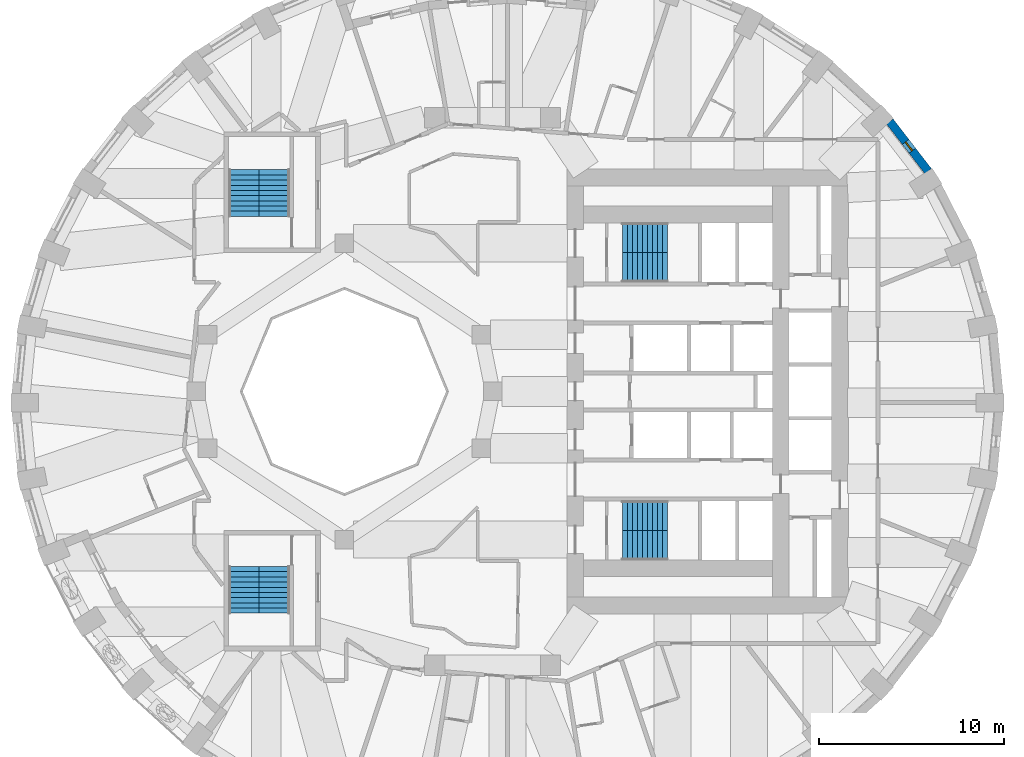
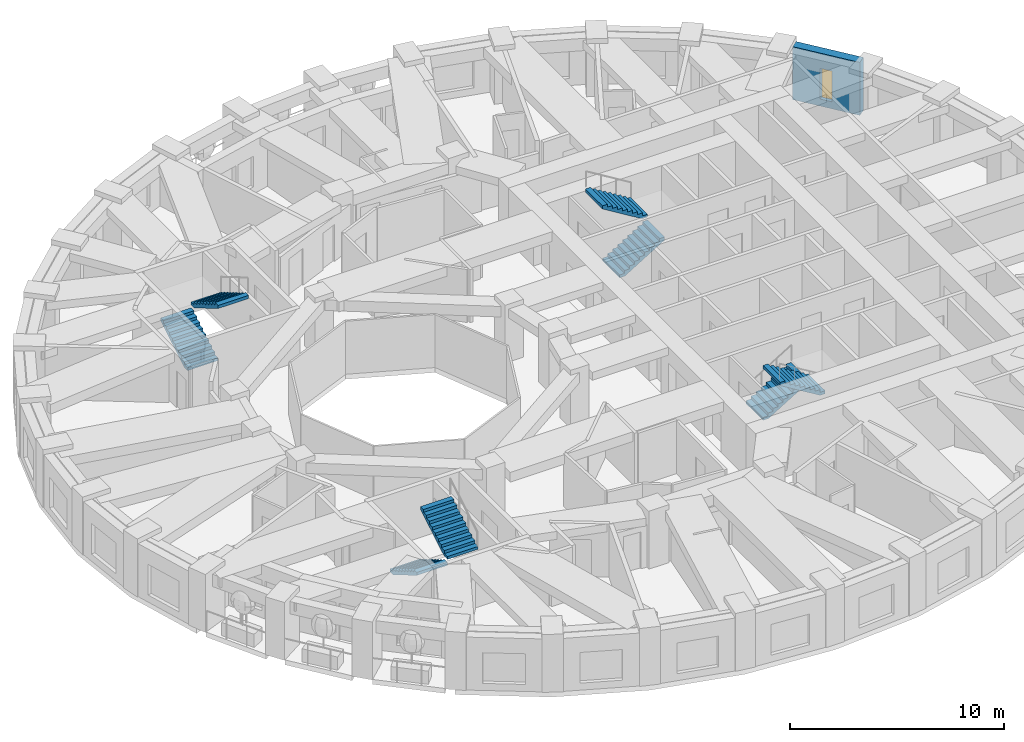
# One storey, part 9 of 12: 8 stair flights, 1 wall, 1 window, 1 opening, 4 elements without a shape of their own.
"""IFC4 building model written with IfcOpenShell, lengths in metres."""

from ifc_helpers import new_model, si_unit, direction, frame, frame_2d, origin, place, context, subcontext, project, spatial, polyline, rectangle, outline, extrude, material, layer, layer_set, type_object, element, fill, aggregate, save


model = new_model("IFC4")

# Units and contexts
model_context = context("Model", 3, precision=1e-05, world=origin(), true_north=direction((0.0, 1.0)))
body_context = subcontext(model_context, "Body", "Model", "MODEL_VIEW")
ifc_project = project(units=[si_unit("LENGTHUNIT", "METRE"), si_unit("AREAUNIT", "SQUARE_METRE"), si_unit("VOLUMEUNIT", "CUBIC_METRE"), si_unit("PLANEANGLEUNIT", "RADIAN"), si_unit("MASSUNIT", "GRAM", prefix="KILO")], contexts=[model_context])

# Site, building, storey
site_placement = place(None, origin())
site = spatial("IfcSite", under=ifc_project, at=site_placement, CompositionType="ELEMENT")
building_placement = place(site_placement, origin())
building = spatial("IfcBuilding", under=site, at=building_placement, Name="Taillehof Tower", CompositionType="ELEMENT")
storey_placement = place(building_placement, frame((0.0, 0.0, 128.5)))
storey = spatial("IfcBuildingStorey", under=building, at=storey_placement, Name="L36", CompositionType="ELEMENT", Elevation=128.5)

# Wall, opening, window
ifc_material_1 = material(Name="Brick masonry", Category="masonry")
ifc_layer = layer(ifc_material_1, 0.449951171875)
ifc_layer_set = layer_set([ifc_layer], Name="Brick infill wall 450")
wall_type = type_object("IfcWallType", Name="Brick infill wall 450", PredefinedType="SOLIDWALL", material=ifc_layer_set)
wall_placement = place(storey_placement, frame((23.508056640625, 11.887451171875, 0.0), z_axis=(0.0, 0.0, 1.0), x_axis=(-0.610693945156, 0.791866721961, 0.0)))
wall = element("IfcWall", 1, at=wall_placement, inside=storey, type_object=wall_type, Name="Brick wall L36 bay 4", PredefinedType="SOLIDWALL", context=body_context, shape_type="SweptSolid", body=[
    extrude(rectangle(XDim=3.39453125, YDim=0.449951171875, at=frame_2d((1.697265625, 0.0))), origin(), (0.0, 0.0, 1.0), 3.02001953125),
])
opening_placement = place(wall_placement, frame((1.397216796875, 0.0, 0.39990234375)))
opening = element("IfcOpeningElement", 2, at=opening_placement, cuts=wall, Name="Opening W6", PredefinedType="OPENING", context=body_context, shape_type="SweptSolid", body=[
    extrude(rectangle(XDim=0.60009765625, YDim=1.75, at=frame_2d((0.300048828125, 0.875))), frame((0.0, 0.23486328125, 0.0), z_axis=(0.0, -1.0, 0.0), x_axis=(1.0, 0.0, 0.0)), (0.0, 0.0, 1.0), 0.469970703125),
])
ifc_material_2 = material(Name="Aluminium window frame with clear double glazing", Category="aluminium")
window_type = type_object("IfcWindowType", Name="Slot window 600x1750", PartitioningType="SINGLE_PANEL", PredefinedType="WINDOW", material=ifc_material_2)
window_placement = place(opening_placement, origin())
window = element("IfcWindow", 3, at=window_placement, inside=storey, type_object=window_type, Name="W6", OverallHeight=1.75, OverallWidth=0.60009765625, PartitioningType="SINGLE_PANEL", PredefinedType="WINDOW", context=body_context, shape_type="SweptSolid", body=[
    extrude(rectangle(XDim=0.60009765625, YDim=1.75, at=frame_2d((0.300048828125, 0.875))), frame((0.0, 0.034912109375, 0.0), z_axis=(0.0, -1.0, 0.0), x_axis=(1.0, 0.0, 0.0)), (0.0, 0.0, 1.0), 0.06005859375),
])
fill(opening, window)

# Stair, stair flights
ifc_material_3 = material(Name="Concrete C40/50", Category="concrete")
stair_type = type_object("IfcStairType", Name="Exit stair half-turn", PredefinedType="HALF_TURN_STAIR", material=ifc_material_3)
stair_1_placement = place(storey_placement, origin())
stair_1 = element("IfcStair", 4, at=stair_1_placement, inside=storey, type_object=stair_type, Name="Exit stair S1", PredefinedType="HALF_TURN_STAIR")
ifc_material_4 = material(Name="Concrete C40/50", Category="concrete")
stair_flight_type_1 = type_object("IfcStairFlightType", Name="Stair flight 1600 riser 165.0 going 270", PredefinedType="STRAIGHT", material=ifc_material_4)
stair_flight_1_placement = place(storey_placement, frame((7.0, 6.699951171875, 0.0), z_axis=(0.0, 0.0, 1.0), x_axis=(1.0, 0.0, 0.0)))
stair_flight_1 = element("IfcStairFlight", 5, at=stair_flight_1_placement, type_object=stair_flight_type_1, Name="S1 flight 1", NumberOfRisers=10, NumberOfTreads=9, PredefinedType="STRAIGHT", RiserHeight=0.165, TreadLength=0.27, context=body_context, shape_type="SweptSolid", body=[
    extrude(outline(polyline([(0.0, 0.0), (0.0, 0.00537109375), (0.0, 0.0107421875), (0.0, 0.015869140625), (0.0, 0.021240234375), (0.0, 0.026611328125), (0.0, 0.031982421875), (0.0, 0.037353515625), (0.0, 0.04248046875), (0.0, 0.0478515625), (0.0, 0.05322265625), (0.0, 0.05859375), (0.0, 0.06396484375), (0.0, 0.069091796875), (0.0, 0.074462890625), (0.0, 0.079833984375), (0.0, 0.085205078125), (0.0, 0.090576171875), (0.0, 0.095703125), (0.0, 0.10107421875), (0.0, 0.1064453125), (0.0, 0.11181640625), (0.0, 0.1171875), (0.0, 0.122314453125), (0.0, 0.127685546875), (0.0, 0.133056640625), (0.0, 0.138427734375), (0.0, 0.143798828125), (0.0, 0.14892578125), (0.0, 0.154296875), (0.0, 0.15966796875), (0.0, 0.1650390625), (0.27001953125, 0.1650390625), (0.27001953125, 0.330078125), (0.5400390625, 0.330078125), (0.5400390625, 0.4951171875), (0.81005859375, 0.4951171875), (0.81005859375, 0.659912109375), (1.080078125, 0.659912109375), (1.080078125, 0.824951171875), (1.35009765625, 0.824951171875), (1.35009765625, 0.989990234375), (1.6201171875, 0.989990234375), (1.6201171875, 1.155029296875), (1.889892578125, 1.155029296875), (1.889892578125, 1.320068359375), (2.159912109375, 1.320068359375), (2.159912109375, 1.485107421875), (2.429931640625, 1.485107421875), (2.429931640625, 1.479248046875), (2.429931640625, 1.4736328125), (2.429931640625, 1.468017578125), (2.429931640625, 1.46240234375), (2.429931640625, 1.45654296875), (2.429931640625, 1.450927734375), (2.429931640625, 1.4453125), (2.429931640625, 1.439697265625), (2.429931640625, 1.43408203125), (2.429931640625, 1.42822265625), (2.429931640625, 1.422607421875), (2.429931640625, 1.4169921875), (2.429931640625, 1.411376953125), (2.429931640625, 1.40576171875), (2.429931640625, 1.39990234375), (2.429931640625, 1.394287109375), (2.429931640625, 1.388671875), (2.429931640625, 1.383056640625), (2.429931640625, 1.37744140625), (2.429931640625, 1.37158203125), (2.429931640625, 1.365966796875), (2.429931640625, 1.3603515625), (2.429931640625, 1.354736328125), (2.429931640625, 1.348876953125), (2.429931640625, 1.34326171875), (2.429931640625, 1.337646484375), (2.429931640625, 1.33203125), (2.429931640625, 1.326416015625), (2.429931640625, 1.320556640625), (2.429931640625, 1.31494140625), (2.429931640625, 1.309326171875), (0.287353515625, 0.0), (0.0, 0.0)])), frame((0.0, 0.800048828125, 0.0), z_axis=(0.0, -1.0, 0.0), x_axis=(1.0, 0.0, 0.0)), (0.0, 0.0, 1.0), 1.6),
])
stair_flight_2_placement = place(storey_placement, frame((9.429931640625, 8.300048828125, 1.64990234375), z_axis=(0.0, 0.0, 1.0), x_axis=(-1.0, 0.0, 0.0)))
stair_flight_2 = element("IfcStairFlight", 6, at=stair_flight_2_placement, type_object=stair_flight_type_1, Name="S1 flight 2", NumberOfRisers=10, NumberOfTreads=9, PredefinedType="STRAIGHT", RiserHeight=0.165, TreadLength=0.27, context=body_context, shape_type="SweptSolid", body=[
    extrude(outline(polyline([(0.0, 0.0), (0.0, 0.00537109375), (0.0, 0.0107421875), (0.0, 0.015869140625), (0.0, 0.021240234375), (0.0, 0.026611328125), (0.0, 0.031982421875), (0.0, 0.037353515625), (0.0, 0.04248046875), (0.0, 0.0478515625), (0.0, 0.05322265625), (0.0, 0.05859375), (0.0, 0.06396484375), (0.0, 0.069091796875), (0.0, 0.074462890625), (0.0, 0.079833984375), (0.0, 0.085205078125), (0.0, 0.090576171875), (0.0, 0.095703125), (0.0, 0.10107421875), (0.0, 0.1064453125), (0.0, 0.11181640625), (0.0, 0.1171875), (0.0, 0.122314453125), (0.0, 0.127685546875), (0.0, 0.133056640625), (0.0, 0.138427734375), (0.0, 0.143798828125), (0.0, 0.14892578125), (0.0, 0.154296875), (0.0, 0.15966796875), (0.0, 0.1650390625), (0.27001953125, 0.1650390625), (0.27001953125, 0.330078125), (0.5400390625, 0.330078125), (0.5400390625, 0.4951171875), (0.81005859375, 0.4951171875), (0.81005859375, 0.659912109375), (1.080078125, 0.659912109375), (1.080078125, 0.824951171875), (1.35009765625, 0.824951171875), (1.35009765625, 0.989990234375), (1.6201171875, 0.989990234375), (1.6201171875, 1.155029296875), (1.889892578125, 1.155029296875), (1.889892578125, 1.320068359375), (2.159912109375, 1.320068359375), (2.159912109375, 1.485107421875), (2.429931640625, 1.485107421875), (2.429931640625, 1.479248046875), (2.429931640625, 1.4736328125), (2.429931640625, 1.468017578125), (2.429931640625, 1.46240234375), (2.429931640625, 1.45654296875), (2.429931640625, 1.450927734375), (2.429931640625, 1.4453125), (2.429931640625, 1.439697265625), (2.429931640625, 1.43408203125), (2.429931640625, 1.42822265625), (2.429931640625, 1.422607421875), (2.429931640625, 1.4169921875), (2.429931640625, 1.411376953125), (2.429931640625, 1.40576171875), (2.429931640625, 1.39990234375), (2.429931640625, 1.394287109375), (2.429931640625, 1.388671875), (2.429931640625, 1.383056640625), (2.429931640625, 1.37744140625), (2.429931640625, 1.37158203125), (2.429931640625, 1.365966796875), (2.429931640625, 1.3603515625), (2.429931640625, 1.354736328125), (2.429931640625, 1.348876953125), (2.429931640625, 1.34326171875), (2.429931640625, 1.337646484375), (2.429931640625, 1.33203125), (2.429931640625, 1.326416015625), (2.429931640625, 1.320556640625), (2.429931640625, 1.31494140625), (2.429931640625, 1.309326171875), (0.287353515625, 0.0), (0.0, 0.0)])), frame((0.0, 0.800048828125, 0.0), z_axis=(0.0, -1.0, 0.0), x_axis=(1.0, 0.0, 0.0)), (0.0, 0.0, 1.0), 1.6),
])
aggregate(stair_1, [stair_flight_1, stair_flight_2])

stair_2_placement = place(storey_placement, origin())
stair_2 = element("IfcStair", 7, at=stair_2_placement, inside=storey, type_object=stair_type, Name="Exit stair S2", PredefinedType="HALF_TURN_STAIR")
stair_flight_3_placement = place(storey_placement, frame((7.0, -6.699951171875, 0.0), z_axis=(0.0, 0.0, 1.0), x_axis=(1.0, 0.0, 0.0)))
stair_flight_3 = element("IfcStairFlight", 8, at=stair_flight_3_placement, type_object=stair_flight_type_1, Name="S2 flight 1", NumberOfRisers=10, NumberOfTreads=9, PredefinedType="STRAIGHT", RiserHeight=0.165, TreadLength=0.27, context=body_context, shape_type="SweptSolid", body=[
    extrude(outline(polyline([(0.0, 0.0), (0.0, 0.00537109375), (0.0, 0.0107421875), (0.0, 0.015869140625), (0.0, 0.021240234375), (0.0, 0.026611328125), (0.0, 0.031982421875), (0.0, 0.037353515625), (0.0, 0.04248046875), (0.0, 0.0478515625), (0.0, 0.05322265625), (0.0, 0.05859375), (0.0, 0.06396484375), (0.0, 0.069091796875), (0.0, 0.074462890625), (0.0, 0.079833984375), (0.0, 0.085205078125), (0.0, 0.090576171875), (0.0, 0.095703125), (0.0, 0.10107421875), (0.0, 0.1064453125), (0.0, 0.11181640625), (0.0, 0.1171875), (0.0, 0.122314453125), (0.0, 0.127685546875), (0.0, 0.133056640625), (0.0, 0.138427734375), (0.0, 0.143798828125), (0.0, 0.14892578125), (0.0, 0.154296875), (0.0, 0.15966796875), (0.0, 0.1650390625), (0.27001953125, 0.1650390625), (0.27001953125, 0.330078125), (0.5400390625, 0.330078125), (0.5400390625, 0.4951171875), (0.81005859375, 0.4951171875), (0.81005859375, 0.659912109375), (1.080078125, 0.659912109375), (1.080078125, 0.824951171875), (1.35009765625, 0.824951171875), (1.35009765625, 0.989990234375), (1.6201171875, 0.989990234375), (1.6201171875, 1.155029296875), (1.889892578125, 1.155029296875), (1.889892578125, 1.320068359375), (2.159912109375, 1.320068359375), (2.159912109375, 1.485107421875), (2.429931640625, 1.485107421875), (2.429931640625, 1.479248046875), (2.429931640625, 1.4736328125), (2.429931640625, 1.468017578125), (2.429931640625, 1.46240234375), (2.429931640625, 1.45654296875), (2.429931640625, 1.450927734375), (2.429931640625, 1.4453125), (2.429931640625, 1.439697265625), (2.429931640625, 1.43408203125), (2.429931640625, 1.42822265625), (2.429931640625, 1.422607421875), (2.429931640625, 1.4169921875), (2.429931640625, 1.411376953125), (2.429931640625, 1.40576171875), (2.429931640625, 1.39990234375), (2.429931640625, 1.394287109375), (2.429931640625, 1.388671875), (2.429931640625, 1.383056640625), (2.429931640625, 1.37744140625), (2.429931640625, 1.37158203125), (2.429931640625, 1.365966796875), (2.429931640625, 1.3603515625), (2.429931640625, 1.354736328125), (2.429931640625, 1.348876953125), (2.429931640625, 1.34326171875), (2.429931640625, 1.337646484375), (2.429931640625, 1.33203125), (2.429931640625, 1.326416015625), (2.429931640625, 1.320556640625), (2.429931640625, 1.31494140625), (2.429931640625, 1.309326171875), (0.287353515625, 0.0), (0.0, 0.0)])), frame((0.0, 0.800048828125, 0.0), z_axis=(0.0, -1.0, 0.0), x_axis=(1.0, 0.0, 0.0)), (0.0, 0.0, 1.0), 1.6),
])
stair_flight_4_placement = place(storey_placement, frame((9.429931640625, -8.300048828125, 1.64990234375), z_axis=(0.0, 0.0, 1.0), x_axis=(-1.0, 0.0, 0.0)))
stair_flight_4 = element("IfcStairFlight", 9, at=stair_flight_4_placement, type_object=stair_flight_type_1, Name="S2 flight 2", NumberOfRisers=10, NumberOfTreads=9, PredefinedType="STRAIGHT", RiserHeight=0.165, TreadLength=0.27, context=body_context, shape_type="SweptSolid", body=[
    extrude(outline(polyline([(0.0, 0.0), (0.0, 0.00537109375), (0.0, 0.0107421875), (0.0, 0.015869140625), (0.0, 0.021240234375), (0.0, 0.026611328125), (0.0, 0.031982421875), (0.0, 0.037353515625), (0.0, 0.04248046875), (0.0, 0.0478515625), (0.0, 0.05322265625), (0.0, 0.05859375), (0.0, 0.06396484375), (0.0, 0.069091796875), (0.0, 0.074462890625), (0.0, 0.079833984375), (0.0, 0.085205078125), (0.0, 0.090576171875), (0.0, 0.095703125), (0.0, 0.10107421875), (0.0, 0.1064453125), (0.0, 0.11181640625), (0.0, 0.1171875), (0.0, 0.122314453125), (0.0, 0.127685546875), (0.0, 0.133056640625), (0.0, 0.138427734375), (0.0, 0.143798828125), (0.0, 0.14892578125), (0.0, 0.154296875), (0.0, 0.15966796875), (0.0, 0.1650390625), (0.27001953125, 0.1650390625), (0.27001953125, 0.330078125), (0.5400390625, 0.330078125), (0.5400390625, 0.4951171875), (0.81005859375, 0.4951171875), (0.81005859375, 0.659912109375), (1.080078125, 0.659912109375), (1.080078125, 0.824951171875), (1.35009765625, 0.824951171875), (1.35009765625, 0.989990234375), (1.6201171875, 0.989990234375), (1.6201171875, 1.155029296875), (1.889892578125, 1.155029296875), (1.889892578125, 1.320068359375), (2.159912109375, 1.320068359375), (2.159912109375, 1.485107421875), (2.429931640625, 1.485107421875), (2.429931640625, 1.479248046875), (2.429931640625, 1.4736328125), (2.429931640625, 1.468017578125), (2.429931640625, 1.46240234375), (2.429931640625, 1.45654296875), (2.429931640625, 1.450927734375), (2.429931640625, 1.4453125), (2.429931640625, 1.439697265625), (2.429931640625, 1.43408203125), (2.429931640625, 1.42822265625), (2.429931640625, 1.422607421875), (2.429931640625, 1.4169921875), (2.429931640625, 1.411376953125), (2.429931640625, 1.40576171875), (2.429931640625, 1.39990234375), (2.429931640625, 1.394287109375), (2.429931640625, 1.388671875), (2.429931640625, 1.383056640625), (2.429931640625, 1.37744140625), (2.429931640625, 1.37158203125), (2.429931640625, 1.365966796875), (2.429931640625, 1.3603515625), (2.429931640625, 1.354736328125), (2.429931640625, 1.348876953125), (2.429931640625, 1.34326171875), (2.429931640625, 1.337646484375), (2.429931640625, 1.33203125), (2.429931640625, 1.326416015625), (2.429931640625, 1.320556640625), (2.429931640625, 1.31494140625), (2.429931640625, 1.309326171875), (0.287353515625, 0.0), (0.0, 0.0)])), frame((0.0, 0.800048828125, 0.0), z_axis=(0.0, -1.0, 0.0), x_axis=(1.0, 0.0, 0.0)), (0.0, 0.0, 1.0), 1.6),
])
aggregate(stair_2, [stair_flight_3, stair_flight_4])

stair_3_placement = place(storey_placement, origin())
stair_3 = element("IfcStair", 10, at=stair_3_placement, inside=storey, type_object=stair_type, Name="Exit stair S3", PredefinedType="HALF_TURN_STAIR")
ifc_material_5 = material(Name="Concrete C40/50", Category="concrete")
stair_flight_type_2 = type_object("IfcStairFlightType", Name="Stair flight 1650 riser 165.0 going 280", PredefinedType="STRAIGHT", material=ifc_material_5)
stair_flight_5_placement = place(storey_placement, frame((-13.425048828125, 9.449951171875, 0.0), z_axis=(0.0, 0.0, 1.0), x_axis=(0.0, 1.0, 0.0)))
stair_flight_5 = element("IfcStairFlight", 11, at=stair_flight_5_placement, type_object=stair_flight_type_2, Name="S3 flight 1", NumberOfRisers=10, NumberOfTreads=9, PredefinedType="STRAIGHT", RiserHeight=0.165, TreadLength=0.28, context=body_context, shape_type="SweptSolid", body=[
    extrude(outline(polyline([(0.0, 0.0), (0.0, 0.00537109375), (0.0, 0.0107421875), (0.0, 0.015869140625), (0.0, 0.021240234375), (0.0, 0.026611328125), (0.0, 0.031982421875), (0.0, 0.037353515625), (0.0, 0.04248046875), (0.0, 0.0478515625), (0.0, 0.05322265625), (0.0, 0.05859375), (0.0, 0.06396484375), (0.0, 0.069091796875), (0.0, 0.074462890625), (0.0, 0.079833984375), (0.0, 0.085205078125), (0.0, 0.090576171875), (0.0, 0.095703125), (0.0, 0.10107421875), (0.0, 0.1064453125), (0.0, 0.11181640625), (0.0, 0.1171875), (0.0, 0.122314453125), (0.0, 0.127685546875), (0.0, 0.133056640625), (0.0, 0.138427734375), (0.0, 0.143798828125), (0.0, 0.14892578125), (0.0, 0.154296875), (0.0, 0.15966796875), (0.0, 0.1650390625), (0.280029296875, 0.1650390625), (0.280029296875, 0.330078125), (0.56005859375, 0.330078125), (0.56005859375, 0.4951171875), (0.840087890625, 0.4951171875), (0.840087890625, 0.659912109375), (1.1201171875, 0.659912109375), (1.1201171875, 0.824951171875), (1.39990234375, 0.824951171875), (1.39990234375, 0.989990234375), (1.679931640625, 0.989990234375), (1.679931640625, 1.155029296875), (1.9599609375, 1.155029296875), (1.9599609375, 1.320068359375), (2.239990234375, 1.320068359375), (2.239990234375, 1.485107421875), (2.52001953125, 1.485107421875), (2.52001953125, 1.4794921875), (2.52001953125, 1.473876953125), (2.52001953125, 1.46826171875), (2.52001953125, 1.462646484375), (2.52001953125, 1.45703125), (2.52001953125, 1.451416015625), (2.52001953125, 1.44580078125), (2.52001953125, 1.440185546875), (2.52001953125, 1.4345703125), (2.52001953125, 1.428955078125), (2.52001953125, 1.42333984375), (2.52001953125, 1.417724609375), (2.52001953125, 1.412109375), (2.52001953125, 1.406494140625), (2.52001953125, 1.40087890625), (2.52001953125, 1.395263671875), (2.52001953125, 1.3896484375), (2.52001953125, 1.384033203125), (2.52001953125, 1.37841796875), (2.52001953125, 1.372802734375), (2.52001953125, 1.3671875), (2.52001953125, 1.361572265625), (2.52001953125, 1.35595703125), (2.52001953125, 1.350341796875), (2.52001953125, 1.3447265625), (2.52001953125, 1.339111328125), (2.52001953125, 1.33349609375), (2.52001953125, 1.327880859375), (2.52001953125, 1.322265625), (2.52001953125, 1.316650390625), (2.52001953125, 1.31103515625), (0.295166015625, 0.0), (0.0, 0.0)])), frame((0.0, 0.824951171875, 0.0), z_axis=(0.0, -1.0, 0.0), x_axis=(1.0, 0.0, 0.0)), (0.0, 0.0, 1.0), 1.65),
])
stair_flight_6_placement = place(storey_placement, frame((-11.77490234375, 11.969970703125, 1.64990234375), z_axis=(0.0, 0.0, 1.0), x_axis=(0.0, -1.0, 0.0)))
stair_flight_6 = element("IfcStairFlight", 12, at=stair_flight_6_placement, type_object=stair_flight_type_2, Name="S3 flight 2", NumberOfRisers=10, NumberOfTreads=9, PredefinedType="STRAIGHT", RiserHeight=0.165, TreadLength=0.28, context=body_context, shape_type="SweptSolid", body=[
    extrude(outline(polyline([(0.0, 0.0), (0.0, 0.00537109375), (0.0, 0.0107421875), (0.0, 0.015869140625), (0.0, 0.021240234375), (0.0, 0.026611328125), (0.0, 0.031982421875), (0.0, 0.037353515625), (0.0, 0.04248046875), (0.0, 0.0478515625), (0.0, 0.05322265625), (0.0, 0.05859375), (0.0, 0.06396484375), (0.0, 0.069091796875), (0.0, 0.074462890625), (0.0, 0.079833984375), (0.0, 0.085205078125), (0.0, 0.090576171875), (0.0, 0.095703125), (0.0, 0.10107421875), (0.0, 0.1064453125), (0.0, 0.11181640625), (0.0, 0.1171875), (0.0, 0.122314453125), (0.0, 0.127685546875), (0.0, 0.133056640625), (0.0, 0.138427734375), (0.0, 0.143798828125), (0.0, 0.14892578125), (0.0, 0.154296875), (0.0, 0.15966796875), (0.0, 0.1650390625), (0.280029296875, 0.1650390625), (0.280029296875, 0.330078125), (0.56005859375, 0.330078125), (0.56005859375, 0.4951171875), (0.840087890625, 0.4951171875), (0.840087890625, 0.659912109375), (1.1201171875, 0.659912109375), (1.1201171875, 0.824951171875), (1.39990234375, 0.824951171875), (1.39990234375, 0.989990234375), (1.679931640625, 0.989990234375), (1.679931640625, 1.155029296875), (1.9599609375, 1.155029296875), (1.9599609375, 1.320068359375), (2.239990234375, 1.320068359375), (2.239990234375, 1.485107421875), (2.52001953125, 1.485107421875), (2.52001953125, 1.4794921875), (2.52001953125, 1.473876953125), (2.52001953125, 1.46826171875), (2.52001953125, 1.462646484375), (2.52001953125, 1.45703125), (2.52001953125, 1.451416015625), (2.52001953125, 1.44580078125), (2.52001953125, 1.440185546875), (2.52001953125, 1.4345703125), (2.52001953125, 1.428955078125), (2.52001953125, 1.42333984375), (2.52001953125, 1.417724609375), (2.52001953125, 1.412109375), (2.52001953125, 1.406494140625), (2.52001953125, 1.40087890625), (2.52001953125, 1.395263671875), (2.52001953125, 1.3896484375), (2.52001953125, 1.384033203125), (2.52001953125, 1.37841796875), (2.52001953125, 1.372802734375), (2.52001953125, 1.3671875), (2.52001953125, 1.361572265625), (2.52001953125, 1.35595703125), (2.52001953125, 1.350341796875), (2.52001953125, 1.3447265625), (2.52001953125, 1.339111328125), (2.52001953125, 1.33349609375), (2.52001953125, 1.327880859375), (2.52001953125, 1.322265625), (2.52001953125, 1.316650390625), (2.52001953125, 1.31103515625), (0.295166015625, 0.0), (0.0, 0.0)])), frame((0.0, 0.824951171875, 0.0), z_axis=(0.0, -1.0, 0.0), x_axis=(1.0, 0.0, 0.0)), (0.0, 0.0, 1.0), 1.65),
])
aggregate(stair_3, [stair_flight_5, stair_flight_6])

stair_4_placement = place(storey_placement, origin())
stair_4 = element("IfcStair", 13, at=stair_4_placement, inside=storey, type_object=stair_type, Name="Exit stair S4", PredefinedType="HALF_TURN_STAIR")
stair_flight_7_placement = place(storey_placement, frame((-13.425048828125, -9.449951171875, 0.0), z_axis=(0.0, 0.0, 1.0), x_axis=(0.0, -1.0, 0.0)))
stair_flight_7 = element("IfcStairFlight", 14, at=stair_flight_7_placement, type_object=stair_flight_type_2, Name="S4 flight 1", NumberOfRisers=10, NumberOfTreads=9, PredefinedType="STRAIGHT", RiserHeight=0.165, TreadLength=0.28, context=body_context, shape_type="SweptSolid", body=[
    extrude(outline(polyline([(0.0, 0.0), (0.0, 0.00537109375), (0.0, 0.0107421875), (0.0, 0.015869140625), (0.0, 0.021240234375), (0.0, 0.026611328125), (0.0, 0.031982421875), (0.0, 0.037353515625), (0.0, 0.04248046875), (0.0, 0.0478515625), (0.0, 0.05322265625), (0.0, 0.05859375), (0.0, 0.06396484375), (0.0, 0.069091796875), (0.0, 0.074462890625), (0.0, 0.079833984375), (0.0, 0.085205078125), (0.0, 0.090576171875), (0.0, 0.095703125), (0.0, 0.10107421875), (0.0, 0.1064453125), (0.0, 0.11181640625), (0.0, 0.1171875), (0.0, 0.122314453125), (0.0, 0.127685546875), (0.0, 0.133056640625), (0.0, 0.138427734375), (0.0, 0.143798828125), (0.0, 0.14892578125), (0.0, 0.154296875), (0.0, 0.15966796875), (0.0, 0.1650390625), (0.280029296875, 0.1650390625), (0.280029296875, 0.330078125), (0.56005859375, 0.330078125), (0.56005859375, 0.4951171875), (0.840087890625, 0.4951171875), (0.840087890625, 0.659912109375), (1.1201171875, 0.659912109375), (1.1201171875, 0.824951171875), (1.39990234375, 0.824951171875), (1.39990234375, 0.989990234375), (1.679931640625, 0.989990234375), (1.679931640625, 1.155029296875), (1.9599609375, 1.155029296875), (1.9599609375, 1.320068359375), (2.239990234375, 1.320068359375), (2.239990234375, 1.485107421875), (2.52001953125, 1.485107421875), (2.52001953125, 1.4794921875), (2.52001953125, 1.473876953125), (2.52001953125, 1.46826171875), (2.52001953125, 1.462646484375), (2.52001953125, 1.45703125), (2.52001953125, 1.451416015625), (2.52001953125, 1.44580078125), (2.52001953125, 1.440185546875), (2.52001953125, 1.4345703125), (2.52001953125, 1.428955078125), (2.52001953125, 1.42333984375), (2.52001953125, 1.417724609375), (2.52001953125, 1.412109375), (2.52001953125, 1.406494140625), (2.52001953125, 1.40087890625), (2.52001953125, 1.395263671875), (2.52001953125, 1.3896484375), (2.52001953125, 1.384033203125), (2.52001953125, 1.37841796875), (2.52001953125, 1.372802734375), (2.52001953125, 1.3671875), (2.52001953125, 1.361572265625), (2.52001953125, 1.35595703125), (2.52001953125, 1.350341796875), (2.52001953125, 1.3447265625), (2.52001953125, 1.339111328125), (2.52001953125, 1.33349609375), (2.52001953125, 1.327880859375), (2.52001953125, 1.322265625), (2.52001953125, 1.316650390625), (2.52001953125, 1.31103515625), (0.295166015625, 0.0), (0.0, 0.0)])), frame((0.0, 0.824951171875, 0.0), z_axis=(0.0, -1.0, 0.0), x_axis=(1.0, 0.0, 0.0)), (0.0, 0.0, 1.0), 1.65),
])
stair_flight_8_placement = place(storey_placement, frame((-11.77490234375, -11.969970703125, 1.64990234375), z_axis=(0.0, 0.0, 1.0), x_axis=(0.0, 1.0, 0.0)))
stair_flight_8 = element("IfcStairFlight", 15, at=stair_flight_8_placement, type_object=stair_flight_type_2, Name="S4 flight 2", NumberOfRisers=10, NumberOfTreads=9, PredefinedType="STRAIGHT", RiserHeight=0.165, TreadLength=0.28, context=body_context, shape_type="SweptSolid", body=[
    extrude(outline(polyline([(0.0, 0.0), (0.0, 0.00537109375), (0.0, 0.0107421875), (0.0, 0.015869140625), (0.0, 0.021240234375), (0.0, 0.026611328125), (0.0, 0.031982421875), (0.0, 0.037353515625), (0.0, 0.04248046875), (0.0, 0.0478515625), (0.0, 0.05322265625), (0.0, 0.05859375), (0.0, 0.06396484375), (0.0, 0.069091796875), (0.0, 0.074462890625), (0.0, 0.079833984375), (0.0, 0.085205078125), (0.0, 0.090576171875), (0.0, 0.095703125), (0.0, 0.10107421875), (0.0, 0.1064453125), (0.0, 0.11181640625), (0.0, 0.1171875), (0.0, 0.122314453125), (0.0, 0.127685546875), (0.0, 0.133056640625), (0.0, 0.138427734375), (0.0, 0.143798828125), (0.0, 0.14892578125), (0.0, 0.154296875), (0.0, 0.15966796875), (0.0, 0.1650390625), (0.280029296875, 0.1650390625), (0.280029296875, 0.330078125), (0.56005859375, 0.330078125), (0.56005859375, 0.4951171875), (0.840087890625, 0.4951171875), (0.840087890625, 0.659912109375), (1.1201171875, 0.659912109375), (1.1201171875, 0.824951171875), (1.39990234375, 0.824951171875), (1.39990234375, 0.989990234375), (1.679931640625, 0.989990234375), (1.679931640625, 1.155029296875), (1.9599609375, 1.155029296875), (1.9599609375, 1.320068359375), (2.239990234375, 1.320068359375), (2.239990234375, 1.485107421875), (2.52001953125, 1.485107421875), (2.52001953125, 1.4794921875), (2.52001953125, 1.473876953125), (2.52001953125, 1.46826171875), (2.52001953125, 1.462646484375), (2.52001953125, 1.45703125), (2.52001953125, 1.451416015625), (2.52001953125, 1.44580078125), (2.52001953125, 1.440185546875), (2.52001953125, 1.4345703125), (2.52001953125, 1.428955078125), (2.52001953125, 1.42333984375), (2.52001953125, 1.417724609375), (2.52001953125, 1.412109375), (2.52001953125, 1.406494140625), (2.52001953125, 1.40087890625), (2.52001953125, 1.395263671875), (2.52001953125, 1.3896484375), (2.52001953125, 1.384033203125), (2.52001953125, 1.37841796875), (2.52001953125, 1.372802734375), (2.52001953125, 1.3671875), (2.52001953125, 1.361572265625), (2.52001953125, 1.35595703125), (2.52001953125, 1.350341796875), (2.52001953125, 1.3447265625), (2.52001953125, 1.339111328125), (2.52001953125, 1.33349609375), (2.52001953125, 1.327880859375), (2.52001953125, 1.322265625), (2.52001953125, 1.316650390625), (2.52001953125, 1.31103515625), (0.295166015625, 0.0), (0.0, 0.0)])), frame((0.0, 0.824951171875, 0.0), z_axis=(0.0, -1.0, 0.0), x_axis=(1.0, 0.0, 0.0)), (0.0, 0.0, 1.0), 1.65),
])
aggregate(stair_4, [stair_flight_7, stair_flight_8])

save(model, "model.ifc")
